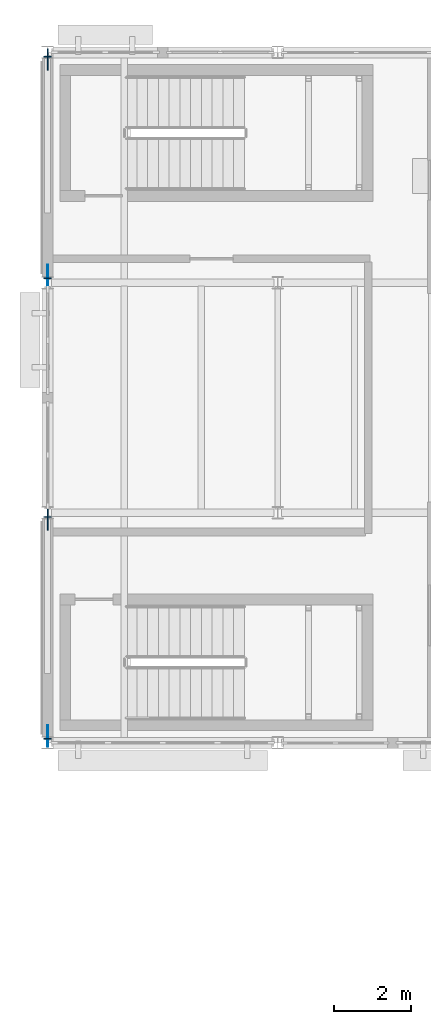
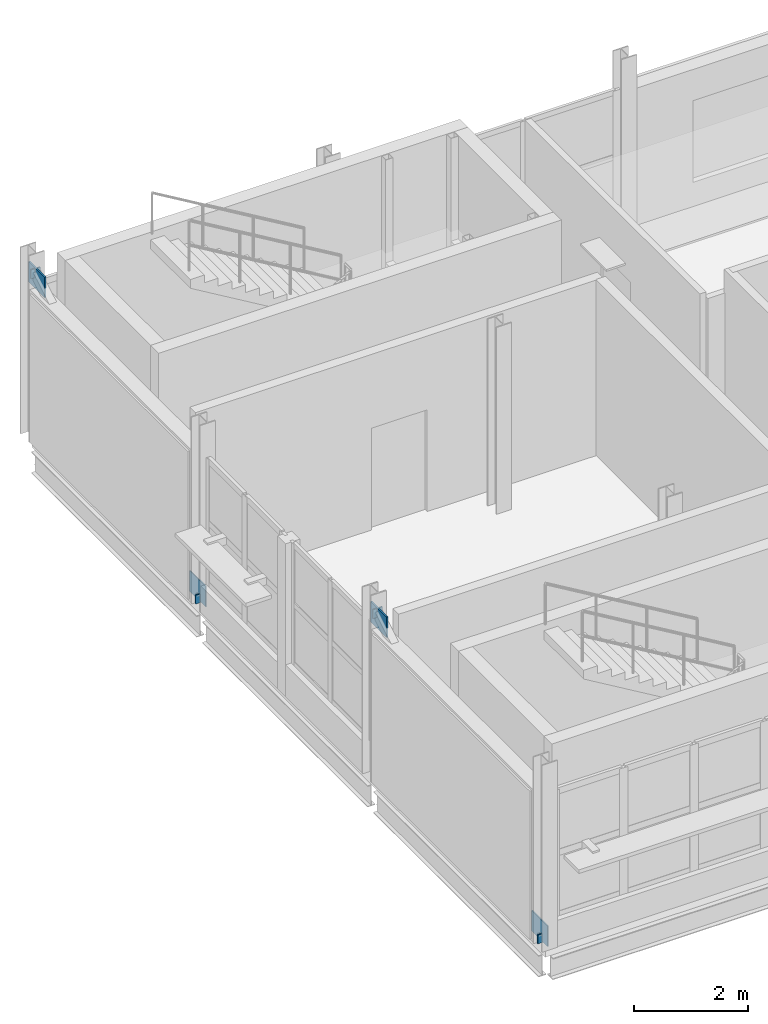
# One storey, part 15 of 23: 8 plates.
"""IFC4 building model written with IfcOpenShell, lengths in metres."""

from ifc_helpers import new_model, si_unit, direction, frame, origin, origin_2d, place, context, subcontext, project, spatial, rectangle, extrude, material, layer, layer_set, type_object, element, save


model = new_model("IFC4")

# Units and contexts
model_context = context("Model", 3, precision=1e-05, world=origin(), true_north=direction((0.0, 1.0)))
body_context = subcontext(model_context, "Body", "Model", "MODEL_VIEW")
ifc_project = project(units=[si_unit("LENGTHUNIT", "METRE"), si_unit("AREAUNIT", "SQUARE_METRE"), si_unit("VOLUMEUNIT", "CUBIC_METRE"), si_unit("PLANEANGLEUNIT", "RADIAN"), si_unit("MASSUNIT", "GRAM", prefix="KILO")], contexts=[model_context])

# Site, building, storey
site_placement = place(None, origin())
site = spatial("IfcSite", under=ifc_project, at=site_placement, CompositionType="ELEMENT")
building_placement = place(site_placement, origin())
building = spatial("IfcBuilding", under=site, at=building_placement, Name="Siltcreek Boulevard Central Fire Station", CompositionType="ELEMENT")
storey_placement = place(building_placement, frame((0.0, 0.0, 14.0)))
storey = spatial("IfcBuildingStorey", under=building, at=storey_placement, Name="L04", CompositionType="ELEMENT", Elevation=14.0)

# Plates
ifc_material = material(Name="Structural steel ASTM A572 Gr50", Category="steel")
ifc_layer_1 = layer(ifc_material, 0.02490234375, Name="Structural steel ASTM A572 Gr50")
ifc_layer_set_1 = layer_set([ifc_layer_1], Name="Structural steel ASTM A572 Gr50")
plate_type_1 = type_object("IfcPlateType", Name="PL_CAP25", PredefinedType="USERDEFINED", material=ifc_layer_set_1)
for number, where, z_axis, x_axis, name in (
    (1, (42.0, 94.31103515625, -0.00048828125), (0.0, 0.0, 1.0), (0.0, 1.0, 0.0), "L04 SCBF concentrically braced frame BR-016 sealed end cap 1"),
    (2, (42.0, 100.089111328125, 3.46044921875), (0.0, 0.0, 1.0), (0.0, 1.0, 0.0), "L04 SCBF concentrically braced frame BR-016 sealed end cap 2"),
    (3, (42.0, 106.31103515625, -0.00048828125), (0.0, 0.0, 1.0), (0.0, 1.0, 0.0), "L04 SCBF concentrically braced frame BR-022 sealed end cap 1"),
    (4, (42.0, 112.089111328125, 3.46044921875), (0.0, 0.0, 1.0), (0.0, 1.0, 0.0), "L04 SCBF concentrically braced frame BR-022 sealed end cap 2"),
):
    element("IfcPlate", number, at=place(storey_placement, frame(where, z_axis=z_axis, x_axis=x_axis)), inside=storey, type_object=plate_type_1, Name=name, ObjectType="END CAP", PredefinedType="USERDEFINED", context=body_context, shape_type="SweptSolid", body=[
        extrude(rectangle(XDim=0.02490234375, YDim=0.18994140625, at=origin_2d()), origin(), (0.0, 0.0, 1.0), 0.18994140625),
    ])
ifc_layer_2 = layer(ifc_material, 0.02197265625, Name="Structural steel ASTM A572 Gr50")
ifc_layer_set_2 = layer_set([ifc_layer_2], Name="Structural steel ASTM A572 Gr50")
plate_type_2 = type_object("IfcPlateType", Name="PL_GUS22", PredefinedType="USERDEFINED", material=ifc_layer_set_2)
for number, where, z_axis, x_axis, name in (
    (5, (42.0, 94.3798828125, 0.030029296875), (0.0, 0.0, 1.0), (0.0, 1.0, 0.0), "Seismic brace bot gusset plate GP-065"),
    (6, (42.0, 106.3798828125, 0.030029296875), (0.0, 0.0, 1.0), (0.0, 1.0, 0.0), "Seismic brace bot gusset plate GP-077"),
):
    element("IfcPlate", number, at=place(storey_placement, frame(where, z_axis=z_axis, x_axis=x_axis)), inside=storey, type_object=plate_type_2, Name=name, ObjectType="GUSSET PLATE", PredefinedType="USERDEFINED", context=body_context, shape_type="SweptSolid", body=[
        extrude(rectangle(XDim=0.56005859375, YDim=0.02197265625, at=origin_2d()), origin(), (0.0, 0.0, 1.0), 0.43994140625),
    ])
ifc_layer_3 = layer(ifc_material, 0.028076171875, Name="Structural steel ASTM A572 Gr50")
ifc_layer_set_3 = layer_set([ifc_layer_3], Name="Structural steel ASTM A572 Gr50")
plate_type_3 = type_object("IfcPlateType", Name="PL_GUS28", PredefinedType="USERDEFINED", material=ifc_layer_set_3)
for number, where, z_axis, x_axis, name in (
    (7, (42.0, 100.02001953125, 3.22998046875), (0.0, 0.0, 1.0), (0.0, 1.0, 0.0), "Seismic brace top gusset plate GP-066"),
    (8, (42.0, 112.02001953125, 3.22998046875), (0.0, 0.0, 1.0), (0.0, 1.0, 0.0), "Seismic brace top gusset plate GP-078"),
):
    element("IfcPlate", number, at=place(storey_placement, frame(where, z_axis=z_axis, x_axis=x_axis)), inside=storey, type_object=plate_type_3, Name=name, ObjectType="GUSSET PLATE", PredefinedType="USERDEFINED", context=body_context, shape_type="SweptSolid", body=[
        extrude(rectangle(XDim=0.56005859375, YDim=0.028076171875, at=origin_2d()), origin(), (0.0, 0.0, 1.0), 0.43994140625),
    ])

save(model, "model.ifc")
